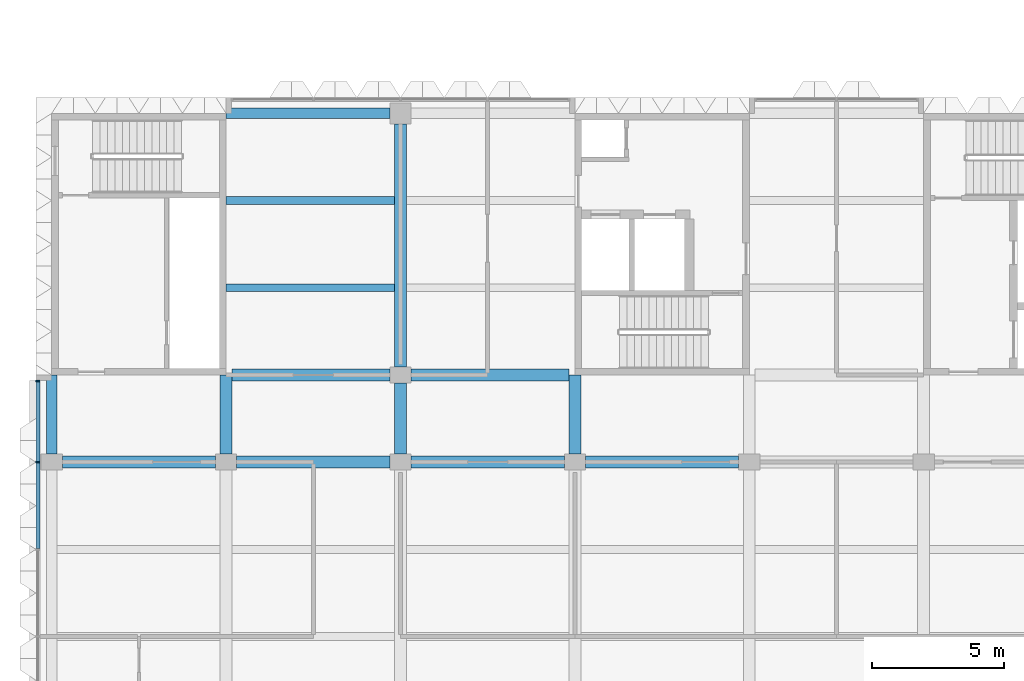
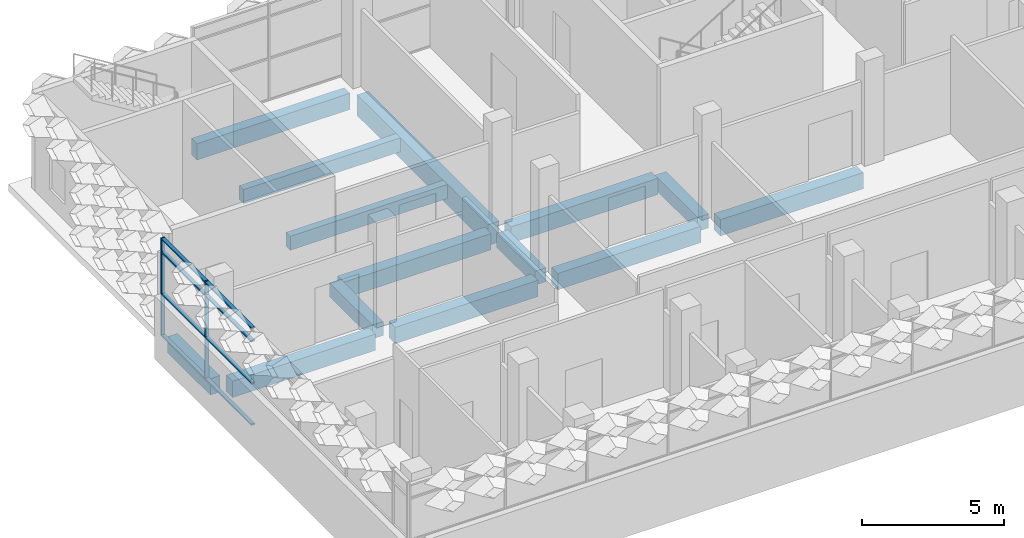
# One storey, part 4 of 102: 14 beams, 10 members, 1 element without a shape of its own.
"""IFC4 building model written with IfcOpenShell, lengths in metres."""

from ifc_helpers import new_model, si_unit, direction, frame, origin, origin_2d, place, context, subcontext, project, spatial, rectangle, extrude, material, material_profile, profile_set, type_object, element, aggregate, save


model = new_model("IFC4")

# Units and contexts
model_context = context("Model", 3, precision=1e-05, world=origin(), true_north=direction((0.0, 1.0)))
body_context = subcontext(model_context, "Body", "Model", "MODEL_VIEW")
ifc_project = project(units=[si_unit("LENGTHUNIT", "METRE"), si_unit("AREAUNIT", "SQUARE_METRE"), si_unit("VOLUMEUNIT", "CUBIC_METRE"), si_unit("PLANEANGLEUNIT", "RADIAN"), si_unit("MASSUNIT", "GRAM", prefix="KILO")], contexts=[model_context])

# Site, building, storey
site_placement = place(None, origin())
site = spatial("IfcSite", under=ifc_project, at=site_placement, CompositionType="ELEMENT")
building_placement = place(site_placement, origin())
building = spatial("IfcBuilding", under=site, at=building_placement, Name="Lantern Court Research Institute", CompositionType="ELEMENT")
storey_placement = place(building_placement, frame((0.0, 0.0, 9.89990234375)))
storey = spatial("IfcBuildingStorey", under=building, at=storey_placement, Name="L02", CompositionType="ELEMENT", Elevation=9.89990234375)

# Curtain wall, members
ifc_material_1 = material(Name="Aluminium alloy 6063-T6", Category="aluminium")
curtain_wall_type = type_object("IfcCurtainWallType", Name="Curtain wall 17350 x 4200 x 150 aluminium frame", PredefinedType="NOTDEFINED", material=ifc_material_1)
curtain_wall_placement = place(storey_placement, origin())
curtain_wall = element("IfcCurtainWall", 1, at=curtain_wall_placement, inside=storey, type_object=curtain_wall_type, Name="Curtain wall CW042", PredefinedType="NOTDEFINED")
ifc_material_2 = material(Name="Aluminium alloy 6063-T6", Category="aluminium")
ifc_material_profile_1 = material_profile(ifc_material_2, rectangle(XDim=0.14990234375, YDim=0.06005859375, at=origin_2d()), Name="Mullion 150 x 60")
ifc_profile_set_1 = profile_set([ifc_material_profile_1], Name="Aluminium alloy 6063-T6")
member_type_1 = type_object("IfcMemberType", Name="Mullion 150 x 60 aluminium", PredefinedType="MULLION", material=ifc_profile_set_1)
member_1_placement = place(storey_placement, frame((-0.52490234375, 9.89990234375, 0.0), z_axis=(0.0, 0.0, 1.0), x_axis=(-1.0, 0.0, 0.0)))
member_1 = element("IfcMember", 2, at=member_1_placement, type_object=member_type_1, Name="CW042 mullion 6", PredefinedType="MULLION", context=body_context, shape_type="SweptSolid", body=[
    extrude(rectangle(XDim=0.14990234375, YDim=0.06005859375, at=origin_2d()), origin(), (0.0, 0.0, 1.0), 4.2001953125),
])
member_2_placement = place(storey_placement, frame((-0.52490234375, 12.969970703125, 0.0), z_axis=(0.0, 0.0, 1.0), x_axis=(-1.0, 0.0, 0.0)))
member_2 = element("IfcMember", 3, at=member_2_placement, type_object=member_type_1, Name="CW042 mullion 7", PredefinedType="MULLION", context=body_context, shape_type="SweptSolid", body=[
    extrude(rectangle(XDim=0.14990234375, YDim=0.06005859375, at=origin_2d()), origin(), (0.0, 0.0, 1.0), 4.2001953125),
])

# Beams
ifc_material_3 = material(Name="Concrete C40/50", Category="concrete")
ifc_material_profile_2 = material_profile(ifc_material_3, rectangle(XDim=0.449951171875, YDim=0.699951171875, at=origin_2d()), Name="RC beam 450 x 700")
ifc_profile_set_2 = profile_set([ifc_material_profile_2], Name="Concrete C40/50")
beam_type_1 = type_object("IfcBeamType", Name="RC beam 450 x 700", PredefinedType="BEAM", material=ifc_profile_set_2)
for number, where, z_axis, x_axis, name in (
    (4, (0.39990234375, 9.89990234375, -0.64990234375), (1.0, 0.0, 0.0), (0.0, 1.0, 0.0), "Beam L02 grid B/1-2"),
    (5, (7.0, 9.89990234375, -0.64990234375), (1.0, 0.0, 0.0), (0.0, 1.0, 0.0), "Beam L02 grid B/2-3"),
):
    element("IfcBeam", number, at=place(storey_placement, frame(where, z_axis=z_axis, x_axis=x_axis)), inside=storey, type_object=beam_type_1, Name=name, PredefinedType="BEAM", context=body_context, shape_type="SweptSolid", body=[
        extrude(rectangle(XDim=0.449951171875, YDim=0.699951171875, at=origin_2d()), origin(), (0.0, 0.0, 1.0), 5.800048828125),
    ])
beam_1_placement = place(storey_placement, frame((13.60009765625, 9.89990234375, -0.64990234375), z_axis=(1.0, 0.0, 0.0), x_axis=(0.0, 1.0, 0.0)))
element("IfcBeam", 6, at=beam_1_placement, inside=storey, type_object=beam_type_1, Name="Beam L02 grid B/3-4", PredefinedType="BEAM", context=body_context, shape_type="SweptSolid", body=[
    extrude(rectangle(XDim=0.449951171875, YDim=0.699951171875, at=origin_2d()), origin(), (0.0, 0.0, 1.0), 5.7998046875),
])
beam_2_placement = place(storey_placement, frame((20.199951171875, 9.89990234375, -0.64990234375), z_axis=(1.0, 0.0, 0.0), x_axis=(0.0, 1.0, 0.0)))
element("IfcBeam", 7, at=beam_2_placement, inside=storey, type_object=beam_type_1, Name="Beam L02 grid B/4-5", PredefinedType="BEAM", context=body_context, shape_type="SweptSolid", body=[
    extrude(rectangle(XDim=0.449951171875, YDim=0.699951171875, at=origin_2d()), origin(), (0.0, 0.0, 1.0), 5.800048828125),
])
beam_3_placement = place(storey_placement, frame((6.824951171875, 13.199951171875, -0.64990234375), z_axis=(1.0, 0.0, 0.0), x_axis=(0.0, 1.0, 0.0)))
element("IfcBeam", 8, at=beam_3_placement, inside=storey, type_object=beam_type_1, Name="Beam L02 grid C/2-3", PredefinedType="BEAM", context=body_context, shape_type="SweptSolid", body=[
    extrude(rectangle(XDim=0.449951171875, YDim=0.699951171875, at=origin_2d()), origin(), (0.0, 0.0, 1.0), 5.97509765625),
])
beam_4_placement = place(storey_placement, frame((13.60009765625, 13.199951171875, -0.64990234375), z_axis=(1.0, 0.0, 0.0), x_axis=(0.0, 1.0, 0.0)))
element("IfcBeam", 9, at=beam_4_placement, inside=storey, type_object=beam_type_1, Name="Beam L02 grid C/3-4", PredefinedType="BEAM", context=body_context, shape_type="SweptSolid", body=[
    extrude(rectangle(XDim=0.449951171875, YDim=0.699951171875, at=origin_2d()), origin(), (0.0, 0.0, 1.0), 5.974853515625),
])
ifc_material_4 = material(Name="Concrete C40/50", Category="concrete")
ifc_material_profile_3 = material_profile(ifc_material_4, rectangle(XDim=0.39990234375, YDim=0.699951171875, at=origin_2d()), Name="RC beam 400 x 700")
ifc_profile_set_3 = profile_set([ifc_material_profile_3], Name="Concrete C40/50")
beam_type_2 = type_object("IfcBeamType", Name="RC edge beam 400 x 700", PredefinedType="BEAM", material=ifc_profile_set_3)
beam_5_placement = place(storey_placement, frame((0.0, 10.199951171875, -0.64990234375), z_axis=(0.0, 1.0, 0.0), x_axis=(-1.0, 0.0, 0.0)))
element("IfcBeam", 10, at=beam_5_placement, inside=storey, type_object=beam_type_2, Name="Edge beam L02 grid 1/B-C", PredefinedType="BEAM", context=body_context, shape_type="SweptSolid", body=[
    extrude(rectangle(XDim=0.39990234375, YDim=0.699951171875, at=origin_2d()), origin(), (0.0, 0.0, 1.0), 3.0),
])
beam_6_placement = place(storey_placement, frame((6.60009765625, 23.10009765625, -0.64990234375), z_axis=(1.0, 0.0, 0.0), x_axis=(0.0, 1.0, 0.0)))
element("IfcBeam", 11, at=beam_6_placement, inside=storey, type_object=beam_type_2, Name="Edge beam L02 grid D/2-3", PredefinedType="BEAM", context=body_context, shape_type="SweptSolid", body=[
    extrude(rectangle(XDim=0.39990234375, YDim=0.699951171875, at=origin_2d()), origin(), (0.0, 0.0, 1.0), 6.199951171875),
])
ifc_material_5 = material(Name="Concrete C40/50", Category="concrete")
ifc_material_profile_4 = material_profile(ifc_material_5, rectangle(XDim=0.449951171875, YDim=0.89990234375, at=origin_2d()), Name="RC beam 450 x 900")
ifc_profile_set_4 = profile_set([ifc_material_profile_4], Name="Concrete C40/50")
beam_type_3 = type_object("IfcBeamType", Name="RC girder 450 x 900", PredefinedType="BEAM", material=ifc_profile_set_4)
beam_7_placement = place(storey_placement, frame((13.199951171875, 13.5, -0.75), z_axis=(0.0, 1.0, 0.0), x_axis=(-1.0, 0.0, 0.0)))
element("IfcBeam", 12, at=beam_7_placement, inside=storey, type_object=beam_type_3, Name="Girder L02 grid 3/C-D", PredefinedType="BEAM", context=body_context, shape_type="SweptSolid", body=[
    extrude(rectangle(XDim=0.449951171875, YDim=0.89990234375, at=origin_2d()), origin(), (0.0, 0.0, 1.0), 9.199951171875),
])
ifc_material_6 = material(Name="Concrete C40/50", Category="concrete")
ifc_material_profile_5 = material_profile(ifc_material_6, rectangle(XDim=0.300048828125, YDim=0.60009765625, at=origin_2d()), Name="RC beam 300 x 600")
ifc_profile_set_5 = profile_set([ifc_material_profile_5], Name="Concrete C40/50")
beam_type_4 = type_object("IfcBeamType", Name="RC secondary beam 300 x 600", PredefinedType="BEAM", material=ifc_profile_set_5)
for number, where, z_axis, x_axis, name in (
    (13, (6.60009765625, 16.5, -0.599853515625), (1.0, 0.0, 0.0), (0.0, 1.0, 0.0), "Secondary beam L02 grids 2-3 / C-D, line 1"),
    (14, (6.60009765625, 19.800048828125, -0.599853515625), (1.0, 0.0, 0.0), (0.0, 1.0, 0.0), "Secondary beam L02 grids 2-3 / C-D, line 2"),
):
    element("IfcBeam", number, at=place(storey_placement, frame(where, z_axis=z_axis, x_axis=x_axis)), inside=storey, type_object=beam_type_4, Name=name, PredefinedType="BEAM", context=body_context, shape_type="SweptSolid", body=[
        extrude(rectangle(XDim=0.300048828125, YDim=0.60009765625, at=origin_2d()), origin(), (0.0, 0.0, 1.0), 6.375),
    ])
ifc_material_7 = material(Name="Concrete C40/50", Category="concrete")
ifc_material_profile_6 = material_profile(ifc_material_7, rectangle(XDim=0.449951171875, YDim=0.60009765625, at=origin_2d()), Name="RC beam 450 x 600")
ifc_profile_set_6 = profile_set([ifc_material_profile_6], Name="Concrete C40/50")
beam_type_5 = type_object("IfcBeamType", Name="RC spine beam 450 x 600", PredefinedType="BEAM", material=ifc_profile_set_6)
beam_8_placement = place(storey_placement, frame((6.60009765625, 10.199951171875, -0.599853515625), z_axis=(0.0, 1.0, 0.0), x_axis=(-1.0, 0.0, 0.0)))
element("IfcBeam", 15, at=beam_8_placement, inside=storey, type_object=beam_type_5, Name="Beam L02 grid 2/B-C", PredefinedType="BEAM", context=body_context, shape_type="SweptSolid", body=[
    extrude(rectangle(XDim=0.449951171875, YDim=0.60009765625, at=origin_2d()), origin(), (0.0, 0.0, 1.0), 3.0),
])
beam_9_placement = place(storey_placement, frame((13.199951171875, 10.199951171875, -0.599853515625), z_axis=(0.0, 1.0, 0.0), x_axis=(-1.0, 0.0, 0.0)))
element("IfcBeam", 16, at=beam_9_placement, inside=storey, type_object=beam_type_5, Name="Beam L02 grid 3/B-C", PredefinedType="BEAM", context=body_context, shape_type="SweptSolid", body=[
    extrude(rectangle(XDim=0.449951171875, YDim=0.60009765625, at=origin_2d()), origin(), (0.0, 0.0, 1.0), 2.699951171875),
])
beam_10_placement = place(storey_placement, frame((19.800048828125, 10.199951171875, -0.599853515625), z_axis=(0.0, 1.0, 0.0), x_axis=(-1.0, 0.0, 0.0)))
element("IfcBeam", 17, at=beam_10_placement, inside=storey, type_object=beam_type_5, Name="Beam L02 grid 4/B-C", PredefinedType="BEAM", context=body_context, shape_type="SweptSolid", body=[
    extrude(rectangle(XDim=0.449951171875, YDim=0.60009765625, at=origin_2d()), origin(), (0.0, 0.0, 1.0), 3.0),
])

# Member
ifc_material_8 = material(Name="Aluminium alloy 6063-T6", Category="aluminium")
ifc_material_profile_7 = material_profile(ifc_material_8, rectangle(XDim=0.14990234375, YDim=0.06005859375, at=origin_2d()), Name="Transom 150 x 60")
ifc_profile_set_7 = profile_set([ifc_material_profile_7], Name="Aluminium alloy 6063-T6")
member_type_2 = type_object("IfcMemberType", Name="Transom 150 x 60 aluminium", PredefinedType="USERDEFINED", material=ifc_profile_set_7)
member_3_placement = place(storey_placement, frame((-0.52490234375, 6.6298828125, 0.030029296875), z_axis=(0.0, 1.0, 0.0), x_axis=(-1.0, 0.0, 0.0)))
member_3 = element("IfcMember", 18, at=member_3_placement, type_object=member_type_2, Name="CW042 transom 5.1", ObjectType="TRANSOM", PredefinedType="USERDEFINED", context=body_context, shape_type="SweptSolid", body=[
    extrude(rectangle(XDim=0.14990234375, YDim=0.06005859375, at=origin_2d()), origin(), (0.0, 0.0, 1.0), 3.240234375),
])

member_4_placement = place(storey_placement, frame((-0.52490234375, 6.6298828125, 1.800048828125), z_axis=(0.0, 1.0, 0.0), x_axis=(-1.0, 0.0, 0.0)))
member_4 = element("IfcMember", 19, at=member_4_placement, type_object=member_type_2, Name="CW042 transom 5.2", ObjectType="TRANSOM", PredefinedType="USERDEFINED", context=body_context, shape_type="SweptSolid", body=[
    extrude(rectangle(XDim=0.14990234375, YDim=0.06005859375, at=origin_2d()), origin(), (0.0, 0.0, 1.0), 3.240234375),
])

member_5_placement = place(storey_placement, frame((-0.52490234375, 6.6298828125, 3.60009765625), z_axis=(0.0, 1.0, 0.0), x_axis=(-1.0, 0.0, 0.0)))
member_5 = element("IfcMember", 20, at=member_5_placement, type_object=member_type_2, Name="CW042 transom 5.3", ObjectType="TRANSOM", PredefinedType="USERDEFINED", context=body_context, shape_type="SweptSolid", body=[
    extrude(rectangle(XDim=0.14990234375, YDim=0.06005859375, at=origin_2d()), origin(), (0.0, 0.0, 1.0), 3.240234375),
])

member_6_placement = place(storey_placement, frame((-0.52490234375, 6.6298828125, 4.170166015625), z_axis=(0.0, 1.0, 0.0), x_axis=(-1.0, 0.0, 0.0)))
member_6 = element("IfcMember", 21, at=member_6_placement, type_object=member_type_2, Name="CW042 transom 5.4", ObjectType="TRANSOM", PredefinedType="USERDEFINED", context=body_context, shape_type="SweptSolid", body=[
    extrude(rectangle(XDim=0.14990234375, YDim=0.06005859375, at=origin_2d()), origin(), (0.0, 0.0, 1.0), 3.240234375),
])

member_7_placement = place(storey_placement, frame((-0.52490234375, 9.929931640625, 0.030029296875), z_axis=(0.0, 1.0, 0.0), x_axis=(-1.0, 0.0, 0.0)))
member_7 = element("IfcMember", 22, at=member_7_placement, type_object=member_type_2, Name="CW042 transom 6.1", ObjectType="TRANSOM", PredefinedType="USERDEFINED", context=body_context, shape_type="SweptSolid", body=[
    extrude(rectangle(XDim=0.14990234375, YDim=0.06005859375, at=origin_2d()), origin(), (0.0, 0.0, 1.0), 3.010009765625),
])

member_8_placement = place(storey_placement, frame((-0.52490234375, 9.929931640625, 1.800048828125), z_axis=(0.0, 1.0, 0.0), x_axis=(-1.0, 0.0, 0.0)))
member_8 = element("IfcMember", 23, at=member_8_placement, type_object=member_type_2, Name="CW042 transom 6.2", ObjectType="TRANSOM", PredefinedType="USERDEFINED", context=body_context, shape_type="SweptSolid", body=[
    extrude(rectangle(XDim=0.14990234375, YDim=0.06005859375, at=origin_2d()), origin(), (0.0, 0.0, 1.0), 3.010009765625),
])

member_9_placement = place(storey_placement, frame((-0.52490234375, 9.929931640625, 3.60009765625), z_axis=(0.0, 1.0, 0.0), x_axis=(-1.0, 0.0, 0.0)))
member_9 = element("IfcMember", 24, at=member_9_placement, type_object=member_type_2, Name="CW042 transom 6.3", ObjectType="TRANSOM", PredefinedType="USERDEFINED", context=body_context, shape_type="SweptSolid", body=[
    extrude(rectangle(XDim=0.14990234375, YDim=0.06005859375, at=origin_2d()), origin(), (0.0, 0.0, 1.0), 3.010009765625),
])

member_10_placement = place(storey_placement, frame((-0.52490234375, 9.929931640625, 4.170166015625), z_axis=(0.0, 1.0, 0.0), x_axis=(-1.0, 0.0, 0.0)))
member_10 = element("IfcMember", 25, at=member_10_placement, type_object=member_type_2, Name="CW042 transom 6.4", ObjectType="TRANSOM", PredefinedType="USERDEFINED", context=body_context, shape_type="SweptSolid", body=[
    extrude(rectangle(XDim=0.14990234375, YDim=0.06005859375, at=origin_2d()), origin(), (0.0, 0.0, 1.0), 3.010009765625),
])

aggregate(curtain_wall, [member_1, member_2, member_3, member_4, member_5, member_6, member_7, member_8, member_9, member_10])

save(model, "model.ifc")
